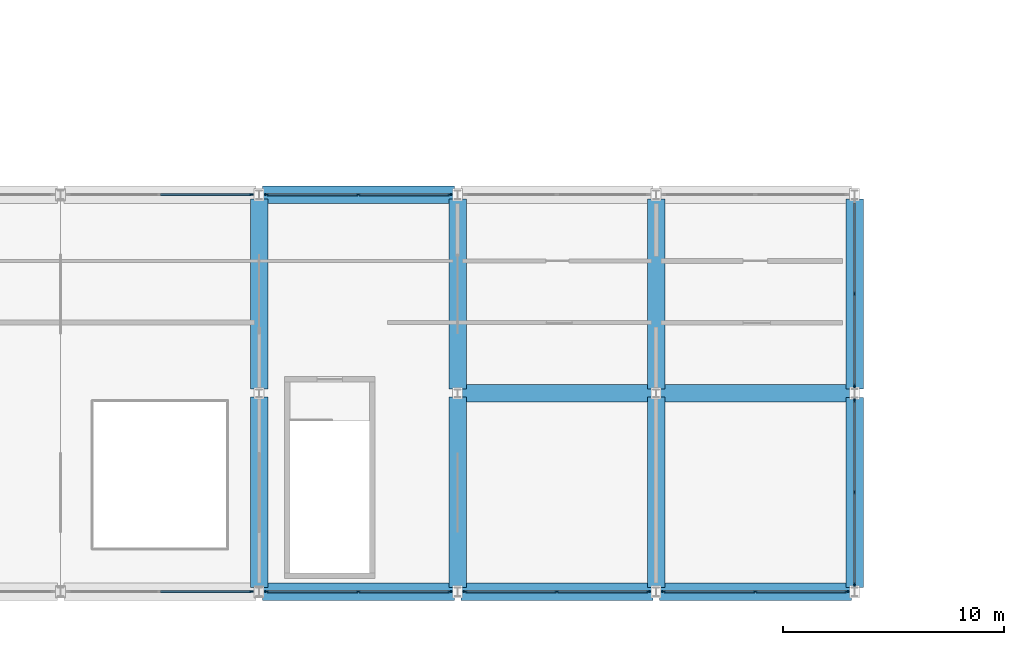
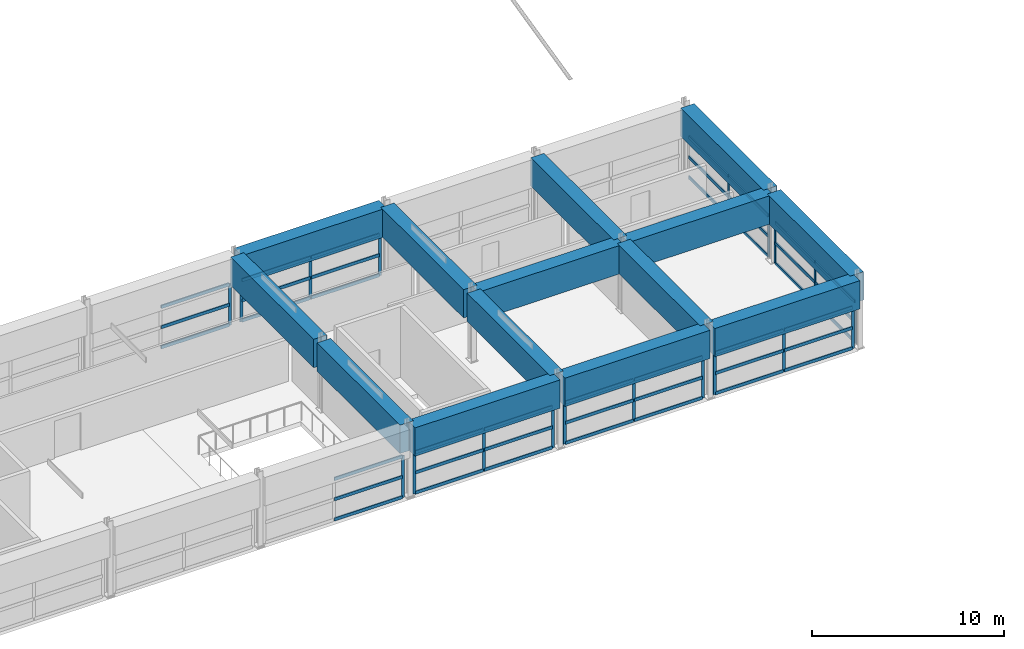
# One storey, part 6 of 56: 61 members, 14 beams, 8 elements without a shape of their own.
"""IFC4 building model written with IfcOpenShell, lengths in metres."""

from ifc_helpers import new_model, si_unit, direction, frame, origin, origin_2d, place, context, subcontext, project, spatial, rectangle, extrude, material, material_profile, profile_set, type_object, element, aggregate, save


model = new_model("IFC4")

# Units and contexts
model_context = context("Model", 3, precision=1e-05, world=origin(), true_north=direction((0.0, 1.0)))
body_context = subcontext(model_context, "Body", "Model", "MODEL_VIEW")
ifc_project = project(units=[si_unit("LENGTHUNIT", "METRE"), si_unit("AREAUNIT", "SQUARE_METRE"), si_unit("VOLUMEUNIT", "CUBIC_METRE"), si_unit("PLANEANGLEUNIT", "RADIAN"), si_unit("MASSUNIT", "GRAM", prefix="KILO")], contexts=[model_context])

# Site, building, storey
site_placement = place(None, origin())
site = spatial("IfcSite", under=ifc_project, at=site_placement, CompositionType="ELEMENT")
building_placement = place(site_placement, origin())
building = spatial("IfcBuilding", under=site, at=building_placement, Name="Bozkorgan Art Gallery", CompositionType="ELEMENT")
storey_placement = place(building_placement, frame((0.0, 0.0, 24.0)))
storey = spatial("IfcBuildingStorey", under=building, at=storey_placement, Name="L05", CompositionType="ELEMENT", Elevation=24.0)

# Beams
ifc_material_1 = material(Name="Concrete C35/45", Category="concrete")
ifc_material_profile_1 = material_profile(ifc_material_1, rectangle(XDim=0.800048828125, YDim=1.800048828125, at=origin_2d()), Name="RC 800x1800")
ifc_profile_set_1 = profile_set([ifc_material_profile_1], Name="Concrete C35/45")
beam_type = type_object("IfcBeamType", Name="BEAM-BM-77", PredefinedType="BEAM", material=ifc_profile_set_1)
for number, where, z_axis, x_axis, name in (
    (1, (38.14990234375, 2.0, 3.580078125), (1.0, 0.0, 0.0), (0.0, 1.0, 0.0), "V1 L05 beam X (38-47, 2.0)"),
    (2, (47.14990234375, 2.0, 3.580078125), (1.0, 0.0, 0.0), (0.0, 1.0, 0.0), "V1 L05 beam X (47-56, 2.0)"),
    (3, (56.14990234375, 2.0, 3.580078125), (1.0, 0.0, 0.0), (0.0, 1.0, 0.0), "V1 L05 beam X (56-65, 2.0)"),
    (4, (47.14990234375, 11.0, 3.580078125), (1.0, 0.0, 0.0), (0.0, 1.0, 0.0), "V1 L05 beam X (47-56, 11.0)"),
    (5, (56.14990234375, 11.0, 3.580078125), (1.0, 0.0, 0.0), (0.0, 1.0, 0.0), "V1 L05 beam X (56-65, 11.0)"),
    (6, (38.14990234375, 20.0, 3.580078125), (1.0, 0.0, 0.0), (0.0, 1.0, 0.0), "V1 L05 beam X (38-47, 20.0)"),
):
    element("IfcBeam", number, at=place(storey_placement, frame(where, z_axis=z_axis, x_axis=x_axis)), inside=storey, type_object=beam_type, Name=name, PredefinedType="BEAM", context=body_context, shape_type="SweptSolid", body=[
        extrude(rectangle(XDim=0.800048828125, YDim=1.800048828125, at=origin_2d()), origin(), (0.0, 0.0, 1.0), 8.7001953125),
    ])
for number, where, z_axis, x_axis, name in (
    (7, (38.0, 2.199951171875, 3.580078125), (0.0, 1.0, 0.0), (-1.0, 0.0, 0.0), "V1 L05 beam Y (38, 2.0-11.0)"),
    (8, (38.0, 11.179931640625, 3.580078125), (0.0, 1.0, 0.0), (-1.0, 0.0, 0.0), "V1 L05 beam Y (38, 11.0-20.0)"),
    (9, (47.0, 2.199951171875, 3.580078125), (0.0, 1.0, 0.0), (-1.0, 0.0, 0.0), "V1 L05 beam Y (47, 2.0-11.0)"),
    (10, (47.0, 11.179931640625, 3.580078125), (0.0, 1.0, 0.0), (-1.0, 0.0, 0.0), "V1 L05 beam Y (47, 11.0-20.0)"),
    (11, (56.0, 2.199951171875, 3.580078125), (0.0, 1.0, 0.0), (-1.0, 0.0, 0.0), "V1 L05 beam Y (56, 2.0-11.0)"),
    (12, (56.0, 11.179931640625, 3.580078125), (0.0, 1.0, 0.0), (-1.0, 0.0, 0.0), "V1 L05 beam Y (56, 11.0-20.0)"),
):
    element("IfcBeam", number, at=place(storey_placement, frame(where, z_axis=z_axis, x_axis=x_axis)), inside=storey, type_object=beam_type, Name=name, PredefinedType="BEAM", context=body_context, shape_type="SweptSolid", body=[
        extrude(rectangle(XDim=0.800048828125, YDim=1.800048828125, at=origin_2d()), origin(), (0.0, 0.0, 1.0), 8.6201171875),
    ])
for number, where, z_axis, x_axis, name in (
    (13, (65.0, 2.199951171875, 3.580078125), (0.0, 1.0, 0.0), (-1.0, 0.0, 0.0), "V1 L05 beam Y (65, 2.0-11.0)"),
    (14, (65.0, 11.199951171875, 3.580078125), (0.0, 1.0, 0.0), (-1.0, 0.0, 0.0), "V1 L05 beam Y (65, 11.0-20.0)"),
):
    element("IfcBeam", number, at=place(storey_placement, frame(where, z_axis=z_axis, x_axis=x_axis)), inside=storey, type_object=beam_type, Name=name, PredefinedType="BEAM", context=body_context, shape_type="SweptSolid", body=[
        extrude(rectangle(XDim=0.800048828125, YDim=1.800048828125, at=origin_2d()), origin(), (0.0, 0.0, 1.0), 8.60009765625),
    ])

# Curtain wall, member
ifc_material_2 = material(Name="Anodised Bronze Aluminium", Category="aluminium")
curtain_wall_type = type_object("IfcCurtainWallType", Name="CW-CW-23", PredefinedType="NOTDEFINED", material=ifc_material_2)
curtain_wall_1_placement = place(storey_placement, origin())
curtain_wall_1 = element("IfcCurtainWall", 15, at=curtain_wall_1_placement, inside=storey, type_object=curtain_wall_type, Name="L05 unitised curtain wall CW-V1-L05-1S-07", PredefinedType="NOTDEFINED")
ifc_material_profile_2 = material_profile(ifc_material_2, rectangle(XDim=0.06494140625, YDim=0.179931640625, at=origin_2d()), Name="ALU MULLION 65x180")
ifc_profile_set_2 = profile_set([ifc_material_profile_2], Name="Anodised Bronze Aluminium")
member_type_1 = type_object("IfcMemberType", Name="CWM-01", PredefinedType="MULLION", material=ifc_profile_set_2)
member_1_placement = place(storey_placement, frame((37.652587890625, 2.0, 0.02001953125), z_axis=(0.0, 0.0, 1.0), x_axis=(0.0, 1.0, 0.0)))
member_1 = element("IfcMember", 16, at=member_1_placement, type_object=member_type_1, Name="CW-23 mullion 3", PredefinedType="MULLION", context=body_context, shape_type="SweptSolid", body=[
    extrude(rectangle(XDim=0.06494140625, YDim=0.179931640625, at=origin_2d()), origin(), (0.0, 0.0, 1.0), 2.64501953125),
])

curtain_wall_2_placement = place(storey_placement, origin())
curtain_wall_2 = element("IfcCurtainWall", 17, at=curtain_wall_2_placement, inside=storey, type_object=curtain_wall_type, Name="L05 unitised curtain wall CW-V1-L05-1N-08", PredefinedType="NOTDEFINED")
member_2_placement = place(storey_placement, frame((37.652587890625, 20.0, 0.02001953125), z_axis=(0.0, 0.0, 1.0), x_axis=(0.0, 1.0, 0.0)))
member_2 = element("IfcMember", 18, at=member_2_placement, type_object=member_type_1, Name="CW-23 mullion 3", PredefinedType="MULLION", context=body_context, shape_type="SweptSolid", body=[
    extrude(rectangle(XDim=0.06494140625, YDim=0.179931640625, at=origin_2d()), origin(), (0.0, 0.0, 1.0), 2.64501953125),
])

# Curtain wall, members
curtain_wall_3_placement = place(storey_placement, origin())
curtain_wall_3 = element("IfcCurtainWall", 19, at=curtain_wall_3_placement, inside=storey, type_object=curtain_wall_type, Name="L05 unitised curtain wall CW-V1-L05-1S-09", PredefinedType="NOTDEFINED")
member_3_placement = place(storey_placement, frame((38.347412109375, 2.0, 0.02001953125), z_axis=(0.0, 0.0, 1.0), x_axis=(0.0, 1.0, 0.0)))
member_3 = element("IfcMember", 20, at=member_3_placement, type_object=member_type_1, Name="CW-23 mullion 1", PredefinedType="MULLION", context=body_context, shape_type="SweptSolid", body=[
    extrude(rectangle(XDim=0.06494140625, YDim=0.179931640625, at=origin_2d()), origin(), (0.0, 0.0, 1.0), 2.64501953125),
])
member_4_placement = place(storey_placement, frame((42.5, 2.0, 0.02001953125), z_axis=(0.0, 0.0, 1.0), x_axis=(0.0, 1.0, 0.0)))
member_4 = element("IfcMember", 21, at=member_4_placement, type_object=member_type_1, Name="CW-23 mullion 2", PredefinedType="MULLION", context=body_context, shape_type="SweptSolid", body=[
    extrude(rectangle(XDim=0.06494140625, YDim=0.179931640625, at=origin_2d()), origin(), (0.0, 0.0, 1.0), 2.64501953125),
])
member_5_placement = place(storey_placement, frame((46.652587890625, 2.0, 0.02001953125), z_axis=(0.0, 0.0, 1.0), x_axis=(0.0, 1.0, 0.0)))
member_5 = element("IfcMember", 22, at=member_5_placement, type_object=member_type_1, Name="CW-23 mullion 3", PredefinedType="MULLION", context=body_context, shape_type="SweptSolid", body=[
    extrude(rectangle(XDim=0.06494140625, YDim=0.179931640625, at=origin_2d()), origin(), (0.0, 0.0, 1.0), 2.64501953125),
])

curtain_wall_4_placement = place(storey_placement, origin())
curtain_wall_4 = element("IfcCurtainWall", 23, at=curtain_wall_4_placement, inside=storey, type_object=curtain_wall_type, Name="L05 unitised curtain wall CW-V1-L05-1N-10", PredefinedType="NOTDEFINED")
member_6_placement = place(storey_placement, frame((38.347412109375, 20.0, 0.02001953125), z_axis=(0.0, 0.0, 1.0), x_axis=(0.0, 1.0, 0.0)))
member_6 = element("IfcMember", 24, at=member_6_placement, type_object=member_type_1, Name="CW-23 mullion 1", PredefinedType="MULLION", context=body_context, shape_type="SweptSolid", body=[
    extrude(rectangle(XDim=0.06494140625, YDim=0.179931640625, at=origin_2d()), origin(), (0.0, 0.0, 1.0), 2.64501953125),
])
member_7_placement = place(storey_placement, frame((42.5, 20.0, 0.02001953125), z_axis=(0.0, 0.0, 1.0), x_axis=(0.0, 1.0, 0.0)))
member_7 = element("IfcMember", 25, at=member_7_placement, type_object=member_type_1, Name="CW-23 mullion 2", PredefinedType="MULLION", context=body_context, shape_type="SweptSolid", body=[
    extrude(rectangle(XDim=0.06494140625, YDim=0.179931640625, at=origin_2d()), origin(), (0.0, 0.0, 1.0), 2.64501953125),
])
member_8_placement = place(storey_placement, frame((46.652587890625, 20.0, 0.02001953125), z_axis=(0.0, 0.0, 1.0), x_axis=(0.0, 1.0, 0.0)))
member_8 = element("IfcMember", 26, at=member_8_placement, type_object=member_type_1, Name="CW-23 mullion 3", PredefinedType="MULLION", context=body_context, shape_type="SweptSolid", body=[
    extrude(rectangle(XDim=0.06494140625, YDim=0.179931640625, at=origin_2d()), origin(), (0.0, 0.0, 1.0), 2.64501953125),
])

curtain_wall_5_placement = place(storey_placement, origin())
curtain_wall_5 = element("IfcCurtainWall", 27, at=curtain_wall_5_placement, inside=storey, type_object=curtain_wall_type, Name="L05 unitised curtain wall CW-V1-L05-1S-11", PredefinedType="NOTDEFINED")
member_9_placement = place(storey_placement, frame((47.347412109375, 2.0, 0.02001953125), z_axis=(0.0, 0.0, 1.0), x_axis=(0.0, 1.0, 0.0)))
member_9 = element("IfcMember", 28, at=member_9_placement, type_object=member_type_1, Name="CW-23 mullion 1", PredefinedType="MULLION", context=body_context, shape_type="SweptSolid", body=[
    extrude(rectangle(XDim=0.06494140625, YDim=0.179931640625, at=origin_2d()), origin(), (0.0, 0.0, 1.0), 2.64501953125),
])
member_10_placement = place(storey_placement, frame((51.5, 2.0, 0.02001953125), z_axis=(0.0, 0.0, 1.0), x_axis=(0.0, 1.0, 0.0)))
member_10 = element("IfcMember", 29, at=member_10_placement, type_object=member_type_1, Name="CW-23 mullion 2", PredefinedType="MULLION", context=body_context, shape_type="SweptSolid", body=[
    extrude(rectangle(XDim=0.06494140625, YDim=0.179931640625, at=origin_2d()), origin(), (0.0, 0.0, 1.0), 2.64501953125),
])
member_11_placement = place(storey_placement, frame((55.652587890625, 2.0, 0.02001953125), z_axis=(0.0, 0.0, 1.0), x_axis=(0.0, 1.0, 0.0)))
member_11 = element("IfcMember", 30, at=member_11_placement, type_object=member_type_1, Name="CW-23 mullion 3", PredefinedType="MULLION", context=body_context, shape_type="SweptSolid", body=[
    extrude(rectangle(XDim=0.06494140625, YDim=0.179931640625, at=origin_2d()), origin(), (0.0, 0.0, 1.0), 2.64501953125),
])

curtain_wall_6_placement = place(storey_placement, origin())
curtain_wall_6 = element("IfcCurtainWall", 31, at=curtain_wall_6_placement, inside=storey, type_object=curtain_wall_type, Name="L05 unitised curtain wall CW-V1-L05-1S-13", PredefinedType="NOTDEFINED")
member_12_placement = place(storey_placement, frame((56.347412109375, 2.0, 0.02001953125), z_axis=(0.0, 0.0, 1.0), x_axis=(0.0, 1.0, 0.0)))
member_12 = element("IfcMember", 32, at=member_12_placement, type_object=member_type_1, Name="CW-23 mullion 1", PredefinedType="MULLION", context=body_context, shape_type="SweptSolid", body=[
    extrude(rectangle(XDim=0.06494140625, YDim=0.179931640625, at=origin_2d()), origin(), (0.0, 0.0, 1.0), 2.64501953125),
])
member_13_placement = place(storey_placement, frame((60.5, 2.0, 0.02001953125), z_axis=(0.0, 0.0, 1.0), x_axis=(0.0, 1.0, 0.0)))
member_13 = element("IfcMember", 33, at=member_13_placement, type_object=member_type_1, Name="CW-23 mullion 2", PredefinedType="MULLION", context=body_context, shape_type="SweptSolid", body=[
    extrude(rectangle(XDim=0.06494140625, YDim=0.179931640625, at=origin_2d()), origin(), (0.0, 0.0, 1.0), 2.64501953125),
])
member_14_placement = place(storey_placement, frame((64.652587890625, 2.0, 0.02001953125), z_axis=(0.0, 0.0, 1.0), x_axis=(0.0, 1.0, 0.0)))
member_14 = element("IfcMember", 34, at=member_14_placement, type_object=member_type_1, Name="CW-23 mullion 3", PredefinedType="MULLION", context=body_context, shape_type="SweptSolid", body=[
    extrude(rectangle(XDim=0.06494140625, YDim=0.179931640625, at=origin_2d()), origin(), (0.0, 0.0, 1.0), 2.64501953125),
])

curtain_wall_7_placement = place(storey_placement, origin())
curtain_wall_7 = element("IfcCurtainWall", 35, at=curtain_wall_7_placement, inside=storey, type_object=curtain_wall_type, Name="L05 unitised curtain wall CW-V1-L05-1E-16", PredefinedType="NOTDEFINED")
member_15_placement = place(storey_placement, frame((65.0, 2.347412109375, 0.02001953125), z_axis=(0.0, 0.0, 1.0), x_axis=(-1.0, 0.0, 0.0)))
member_15 = element("IfcMember", 36, at=member_15_placement, type_object=member_type_1, Name="CW-23 mullion 1", PredefinedType="MULLION", context=body_context, shape_type="SweptSolid", body=[
    extrude(rectangle(XDim=0.06494140625, YDim=0.179931640625, at=origin_2d()), origin(), (0.0, 0.0, 1.0), 2.64501953125),
])
member_16_placement = place(storey_placement, frame((65.0, 6.5, 0.02001953125), z_axis=(0.0, 0.0, 1.0), x_axis=(-1.0, 0.0, 0.0)))
member_16 = element("IfcMember", 37, at=member_16_placement, type_object=member_type_1, Name="CW-23 mullion 2", PredefinedType="MULLION", context=body_context, shape_type="SweptSolid", body=[
    extrude(rectangle(XDim=0.06494140625, YDim=0.179931640625, at=origin_2d()), origin(), (0.0, 0.0, 1.0), 2.64501953125),
])
member_17_placement = place(storey_placement, frame((65.0, 10.652587890625, 0.02001953125), z_axis=(0.0, 0.0, 1.0), x_axis=(-1.0, 0.0, 0.0)))
member_17 = element("IfcMember", 38, at=member_17_placement, type_object=member_type_1, Name="CW-23 mullion 3", PredefinedType="MULLION", context=body_context, shape_type="SweptSolid", body=[
    extrude(rectangle(XDim=0.06494140625, YDim=0.179931640625, at=origin_2d()), origin(), (0.0, 0.0, 1.0), 2.64501953125),
])

curtain_wall_8_placement = place(storey_placement, origin())
curtain_wall_8 = element("IfcCurtainWall", 39, at=curtain_wall_8_placement, inside=storey, type_object=curtain_wall_type, Name="L05 unitised curtain wall CW-V1-L05-1E-18", PredefinedType="NOTDEFINED")
member_18_placement = place(storey_placement, frame((65.0, 11.347412109375, 0.02001953125), z_axis=(0.0, 0.0, 1.0), x_axis=(-1.0, 0.0, 0.0)))
member_18 = element("IfcMember", 40, at=member_18_placement, type_object=member_type_1, Name="CW-23 mullion 1", PredefinedType="MULLION", context=body_context, shape_type="SweptSolid", body=[
    extrude(rectangle(XDim=0.06494140625, YDim=0.179931640625, at=origin_2d()), origin(), (0.0, 0.0, 1.0), 2.64501953125),
])
member_19_placement = place(storey_placement, frame((65.0, 15.5, 0.02001953125), z_axis=(0.0, 0.0, 1.0), x_axis=(-1.0, 0.0, 0.0)))
member_19 = element("IfcMember", 41, at=member_19_placement, type_object=member_type_1, Name="CW-23 mullion 2", PredefinedType="MULLION", context=body_context, shape_type="SweptSolid", body=[
    extrude(rectangle(XDim=0.06494140625, YDim=0.179931640625, at=origin_2d()), origin(), (0.0, 0.0, 1.0), 2.64501953125),
])

# Member
ifc_material_profile_3 = material_profile(ifc_material_2, rectangle(XDim=0.080078125, YDim=0.199951171875, at=origin_2d()), Name="ALU TRANSOM 80x200")
ifc_profile_set_3 = profile_set([ifc_material_profile_3], Name="Anodised Bronze Aluminium")
member_type_2 = type_object("IfcMemberType", Name="CWT-03", PredefinedType="USERDEFINED", material=ifc_profile_set_3)
member_20_placement = place(storey_placement, frame((33.532470703125, 2.0, 0.06005859375), z_axis=(1.0, 0.0, 0.0), x_axis=(0.0, 1.0, 0.0)))
member_20 = element("IfcMember", 42, at=member_20_placement, type_object=member_type_2, Name="CW-23 transom 2.1", ObjectType="TRANSOM", PredefinedType="USERDEFINED", context=body_context, shape_type="SweptSolid", body=[
    extrude(rectangle(XDim=0.080078125, YDim=0.199951171875, at=origin_2d()), origin(), (0.0, 0.0, 1.0), 4.087646484375),
])

member_21_placement = place(storey_placement, frame((33.532470703125, 2.0, 1.343017578125), z_axis=(1.0, 0.0, 0.0), x_axis=(0.0, 1.0, 0.0)))
member_21 = element("IfcMember", 43, at=member_21_placement, type_object=member_type_2, Name="CW-23 transom 2.2", ObjectType="TRANSOM", PredefinedType="USERDEFINED", context=body_context, shape_type="SweptSolid", body=[
    extrude(rectangle(XDim=0.080078125, YDim=0.199951171875, at=origin_2d()), origin(), (0.0, 0.0, 1.0), 4.087646484375),
])

member_22_placement = place(storey_placement, frame((33.532470703125, 2.0, 2.625), z_axis=(1.0, 0.0, 0.0), x_axis=(0.0, 1.0, 0.0)))
member_22 = element("IfcMember", 44, at=member_22_placement, type_object=member_type_2, Name="CW-23 transom 2.3", ObjectType="TRANSOM", PredefinedType="USERDEFINED", context=body_context, shape_type="SweptSolid", body=[
    extrude(rectangle(XDim=0.080078125, YDim=0.199951171875, at=origin_2d()), origin(), (0.0, 0.0, 1.0), 4.087646484375),
])

aggregate(curtain_wall_1, [member_1, member_20, member_21, member_22])

member_23_placement = place(storey_placement, frame((33.532470703125, 20.0, 0.06005859375), z_axis=(1.0, 0.0, 0.0), x_axis=(0.0, 1.0, 0.0)))
member_23 = element("IfcMember", 45, at=member_23_placement, type_object=member_type_2, Name="CW-23 transom 2.1", ObjectType="TRANSOM", PredefinedType="USERDEFINED", context=body_context, shape_type="SweptSolid", body=[
    extrude(rectangle(XDim=0.080078125, YDim=0.199951171875, at=origin_2d()), origin(), (0.0, 0.0, 1.0), 4.087646484375),
])

member_24_placement = place(storey_placement, frame((33.532470703125, 20.0, 1.343017578125), z_axis=(1.0, 0.0, 0.0), x_axis=(0.0, 1.0, 0.0)))
member_24 = element("IfcMember", 46, at=member_24_placement, type_object=member_type_2, Name="CW-23 transom 2.2", ObjectType="TRANSOM", PredefinedType="USERDEFINED", context=body_context, shape_type="SweptSolid", body=[
    extrude(rectangle(XDim=0.080078125, YDim=0.199951171875, at=origin_2d()), origin(), (0.0, 0.0, 1.0), 4.087646484375),
])

member_25_placement = place(storey_placement, frame((33.532470703125, 20.0, 2.625), z_axis=(1.0, 0.0, 0.0), x_axis=(0.0, 1.0, 0.0)))
member_25 = element("IfcMember", 47, at=member_25_placement, type_object=member_type_2, Name="CW-23 transom 2.3", ObjectType="TRANSOM", PredefinedType="USERDEFINED", context=body_context, shape_type="SweptSolid", body=[
    extrude(rectangle(XDim=0.080078125, YDim=0.199951171875, at=origin_2d()), origin(), (0.0, 0.0, 1.0), 4.087646484375),
])

aggregate(curtain_wall_2, [member_2, member_23, member_24, member_25])

member_26_placement = place(storey_placement, frame((38.3798828125, 2.0, 0.06005859375), z_axis=(1.0, 0.0, 0.0), x_axis=(0.0, 1.0, 0.0)))
member_26 = element("IfcMember", 48, at=member_26_placement, type_object=member_type_2, Name="CW-23 transom 1.1", ObjectType="TRANSOM", PredefinedType="USERDEFINED", context=body_context, shape_type="SweptSolid", body=[
    extrude(rectangle(XDim=0.080078125, YDim=0.199951171875, at=origin_2d()), origin(), (0.0, 0.0, 1.0), 4.087646484375),
])

member_27_placement = place(storey_placement, frame((38.3798828125, 2.0, 1.343017578125), z_axis=(1.0, 0.0, 0.0), x_axis=(0.0, 1.0, 0.0)))
member_27 = element("IfcMember", 49, at=member_27_placement, type_object=member_type_2, Name="CW-23 transom 1.2", ObjectType="TRANSOM", PredefinedType="USERDEFINED", context=body_context, shape_type="SweptSolid", body=[
    extrude(rectangle(XDim=0.080078125, YDim=0.199951171875, at=origin_2d()), origin(), (0.0, 0.0, 1.0), 4.087646484375),
])

member_28_placement = place(storey_placement, frame((38.3798828125, 2.0, 2.625), z_axis=(1.0, 0.0, 0.0), x_axis=(0.0, 1.0, 0.0)))
member_28 = element("IfcMember", 50, at=member_28_placement, type_object=member_type_2, Name="CW-23 transom 1.3", ObjectType="TRANSOM", PredefinedType="USERDEFINED", context=body_context, shape_type="SweptSolid", body=[
    extrude(rectangle(XDim=0.080078125, YDim=0.199951171875, at=origin_2d()), origin(), (0.0, 0.0, 1.0), 4.087646484375),
])

member_29_placement = place(storey_placement, frame((42.532470703125, 2.0, 0.06005859375), z_axis=(1.0, 0.0, 0.0), x_axis=(0.0, 1.0, 0.0)))
member_29 = element("IfcMember", 51, at=member_29_placement, type_object=member_type_2, Name="CW-23 transom 2.1", ObjectType="TRANSOM", PredefinedType="USERDEFINED", context=body_context, shape_type="SweptSolid", body=[
    extrude(rectangle(XDim=0.080078125, YDim=0.199951171875, at=origin_2d()), origin(), (0.0, 0.0, 1.0), 4.087646484375),
])

member_30_placement = place(storey_placement, frame((42.532470703125, 2.0, 1.343017578125), z_axis=(1.0, 0.0, 0.0), x_axis=(0.0, 1.0, 0.0)))
member_30 = element("IfcMember", 52, at=member_30_placement, type_object=member_type_2, Name="CW-23 transom 2.2", ObjectType="TRANSOM", PredefinedType="USERDEFINED", context=body_context, shape_type="SweptSolid", body=[
    extrude(rectangle(XDim=0.080078125, YDim=0.199951171875, at=origin_2d()), origin(), (0.0, 0.0, 1.0), 4.087646484375),
])

member_31_placement = place(storey_placement, frame((42.532470703125, 2.0, 2.625), z_axis=(1.0, 0.0, 0.0), x_axis=(0.0, 1.0, 0.0)))
member_31 = element("IfcMember", 53, at=member_31_placement, type_object=member_type_2, Name="CW-23 transom 2.3", ObjectType="TRANSOM", PredefinedType="USERDEFINED", context=body_context, shape_type="SweptSolid", body=[
    extrude(rectangle(XDim=0.080078125, YDim=0.199951171875, at=origin_2d()), origin(), (0.0, 0.0, 1.0), 4.087646484375),
])

aggregate(curtain_wall_3, [member_3, member_4, member_5, member_26, member_27, member_28, member_29, member_30, member_31])

member_32_placement = place(storey_placement, frame((38.3798828125, 20.0, 0.06005859375), z_axis=(1.0, 0.0, 0.0), x_axis=(0.0, 1.0, 0.0)))
member_32 = element("IfcMember", 54, at=member_32_placement, type_object=member_type_2, Name="CW-23 transom 1.1", ObjectType="TRANSOM", PredefinedType="USERDEFINED", context=body_context, shape_type="SweptSolid", body=[
    extrude(rectangle(XDim=0.080078125, YDim=0.199951171875, at=origin_2d()), origin(), (0.0, 0.0, 1.0), 4.087646484375),
])

member_33_placement = place(storey_placement, frame((38.3798828125, 20.0, 1.343017578125), z_axis=(1.0, 0.0, 0.0), x_axis=(0.0, 1.0, 0.0)))
member_33 = element("IfcMember", 55, at=member_33_placement, type_object=member_type_2, Name="CW-23 transom 1.2", ObjectType="TRANSOM", PredefinedType="USERDEFINED", context=body_context, shape_type="SweptSolid", body=[
    extrude(rectangle(XDim=0.080078125, YDim=0.199951171875, at=origin_2d()), origin(), (0.0, 0.0, 1.0), 4.087646484375),
])

member_34_placement = place(storey_placement, frame((38.3798828125, 20.0, 2.625), z_axis=(1.0, 0.0, 0.0), x_axis=(0.0, 1.0, 0.0)))
member_34 = element("IfcMember", 56, at=member_34_placement, type_object=member_type_2, Name="CW-23 transom 1.3", ObjectType="TRANSOM", PredefinedType="USERDEFINED", context=body_context, shape_type="SweptSolid", body=[
    extrude(rectangle(XDim=0.080078125, YDim=0.199951171875, at=origin_2d()), origin(), (0.0, 0.0, 1.0), 4.087646484375),
])

member_35_placement = place(storey_placement, frame((42.532470703125, 20.0, 0.06005859375), z_axis=(1.0, 0.0, 0.0), x_axis=(0.0, 1.0, 0.0)))
member_35 = element("IfcMember", 57, at=member_35_placement, type_object=member_type_2, Name="CW-23 transom 2.1", ObjectType="TRANSOM", PredefinedType="USERDEFINED", context=body_context, shape_type="SweptSolid", body=[
    extrude(rectangle(XDim=0.080078125, YDim=0.199951171875, at=origin_2d()), origin(), (0.0, 0.0, 1.0), 4.087646484375),
])

member_36_placement = place(storey_placement, frame((42.532470703125, 20.0, 1.343017578125), z_axis=(1.0, 0.0, 0.0), x_axis=(0.0, 1.0, 0.0)))
member_36 = element("IfcMember", 58, at=member_36_placement, type_object=member_type_2, Name="CW-23 transom 2.2", ObjectType="TRANSOM", PredefinedType="USERDEFINED", context=body_context, shape_type="SweptSolid", body=[
    extrude(rectangle(XDim=0.080078125, YDim=0.199951171875, at=origin_2d()), origin(), (0.0, 0.0, 1.0), 4.087646484375),
])

member_37_placement = place(storey_placement, frame((42.532470703125, 20.0, 2.625), z_axis=(1.0, 0.0, 0.0), x_axis=(0.0, 1.0, 0.0)))
member_37 = element("IfcMember", 59, at=member_37_placement, type_object=member_type_2, Name="CW-23 transom 2.3", ObjectType="TRANSOM", PredefinedType="USERDEFINED", context=body_context, shape_type="SweptSolid", body=[
    extrude(rectangle(XDim=0.080078125, YDim=0.199951171875, at=origin_2d()), origin(), (0.0, 0.0, 1.0), 4.087646484375),
])

aggregate(curtain_wall_4, [member_6, member_7, member_8, member_32, member_33, member_34, member_35, member_36, member_37])

member_38_placement = place(storey_placement, frame((47.3798828125, 2.0, 0.06005859375), z_axis=(1.0, 0.0, 0.0), x_axis=(0.0, 1.0, 0.0)))
member_38 = element("IfcMember", 60, at=member_38_placement, type_object=member_type_2, Name="CW-23 transom 1.1", ObjectType="TRANSOM", PredefinedType="USERDEFINED", context=body_context, shape_type="SweptSolid", body=[
    extrude(rectangle(XDim=0.080078125, YDim=0.199951171875, at=origin_2d()), origin(), (0.0, 0.0, 1.0), 4.087646484375),
])

member_39_placement = place(storey_placement, frame((47.3798828125, 2.0, 1.343017578125), z_axis=(1.0, 0.0, 0.0), x_axis=(0.0, 1.0, 0.0)))
member_39 = element("IfcMember", 61, at=member_39_placement, type_object=member_type_2, Name="CW-23 transom 1.2", ObjectType="TRANSOM", PredefinedType="USERDEFINED", context=body_context, shape_type="SweptSolid", body=[
    extrude(rectangle(XDim=0.080078125, YDim=0.199951171875, at=origin_2d()), origin(), (0.0, 0.0, 1.0), 4.087646484375),
])

member_40_placement = place(storey_placement, frame((47.3798828125, 2.0, 2.625), z_axis=(1.0, 0.0, 0.0), x_axis=(0.0, 1.0, 0.0)))
member_40 = element("IfcMember", 62, at=member_40_placement, type_object=member_type_2, Name="CW-23 transom 1.3", ObjectType="TRANSOM", PredefinedType="USERDEFINED", context=body_context, shape_type="SweptSolid", body=[
    extrude(rectangle(XDim=0.080078125, YDim=0.199951171875, at=origin_2d()), origin(), (0.0, 0.0, 1.0), 4.087646484375),
])

member_41_placement = place(storey_placement, frame((51.532470703125, 2.0, 0.06005859375), z_axis=(1.0, 0.0, 0.0), x_axis=(0.0, 1.0, 0.0)))
member_41 = element("IfcMember", 63, at=member_41_placement, type_object=member_type_2, Name="CW-23 transom 2.1", ObjectType="TRANSOM", PredefinedType="USERDEFINED", context=body_context, shape_type="SweptSolid", body=[
    extrude(rectangle(XDim=0.080078125, YDim=0.199951171875, at=origin_2d()), origin(), (0.0, 0.0, 1.0), 4.087646484375),
])

member_42_placement = place(storey_placement, frame((51.532470703125, 2.0, 1.343017578125), z_axis=(1.0, 0.0, 0.0), x_axis=(0.0, 1.0, 0.0)))
member_42 = element("IfcMember", 64, at=member_42_placement, type_object=member_type_2, Name="CW-23 transom 2.2", ObjectType="TRANSOM", PredefinedType="USERDEFINED", context=body_context, shape_type="SweptSolid", body=[
    extrude(rectangle(XDim=0.080078125, YDim=0.199951171875, at=origin_2d()), origin(), (0.0, 0.0, 1.0), 4.087646484375),
])

member_43_placement = place(storey_placement, frame((51.532470703125, 2.0, 2.625), z_axis=(1.0, 0.0, 0.0), x_axis=(0.0, 1.0, 0.0)))
member_43 = element("IfcMember", 65, at=member_43_placement, type_object=member_type_2, Name="CW-23 transom 2.3", ObjectType="TRANSOM", PredefinedType="USERDEFINED", context=body_context, shape_type="SweptSolid", body=[
    extrude(rectangle(XDim=0.080078125, YDim=0.199951171875, at=origin_2d()), origin(), (0.0, 0.0, 1.0), 4.087646484375),
])

aggregate(curtain_wall_5, [member_9, member_10, member_11, member_38, member_39, member_40, member_41, member_42, member_43])

member_44_placement = place(storey_placement, frame((56.3798828125, 2.0, 0.06005859375), z_axis=(1.0, 0.0, 0.0), x_axis=(0.0, 1.0, 0.0)))
member_44 = element("IfcMember", 66, at=member_44_placement, type_object=member_type_2, Name="CW-23 transom 1.1", ObjectType="TRANSOM", PredefinedType="USERDEFINED", context=body_context, shape_type="SweptSolid", body=[
    extrude(rectangle(XDim=0.080078125, YDim=0.199951171875, at=origin_2d()), origin(), (0.0, 0.0, 1.0), 4.087646484375),
])

member_45_placement = place(storey_placement, frame((56.3798828125, 2.0, 1.343017578125), z_axis=(1.0, 0.0, 0.0), x_axis=(0.0, 1.0, 0.0)))
member_45 = element("IfcMember", 67, at=member_45_placement, type_object=member_type_2, Name="CW-23 transom 1.2", ObjectType="TRANSOM", PredefinedType="USERDEFINED", context=body_context, shape_type="SweptSolid", body=[
    extrude(rectangle(XDim=0.080078125, YDim=0.199951171875, at=origin_2d()), origin(), (0.0, 0.0, 1.0), 4.087646484375),
])

member_46_placement = place(storey_placement, frame((56.3798828125, 2.0, 2.625), z_axis=(1.0, 0.0, 0.0), x_axis=(0.0, 1.0, 0.0)))
member_46 = element("IfcMember", 68, at=member_46_placement, type_object=member_type_2, Name="CW-23 transom 1.3", ObjectType="TRANSOM", PredefinedType="USERDEFINED", context=body_context, shape_type="SweptSolid", body=[
    extrude(rectangle(XDim=0.080078125, YDim=0.199951171875, at=origin_2d()), origin(), (0.0, 0.0, 1.0), 4.087646484375),
])

member_47_placement = place(storey_placement, frame((60.532470703125, 2.0, 0.06005859375), z_axis=(1.0, 0.0, 0.0), x_axis=(0.0, 1.0, 0.0)))
member_47 = element("IfcMember", 69, at=member_47_placement, type_object=member_type_2, Name="CW-23 transom 2.1", ObjectType="TRANSOM", PredefinedType="USERDEFINED", context=body_context, shape_type="SweptSolid", body=[
    extrude(rectangle(XDim=0.080078125, YDim=0.199951171875, at=origin_2d()), origin(), (0.0, 0.0, 1.0), 4.087646484375),
])

member_48_placement = place(storey_placement, frame((60.532470703125, 2.0, 1.343017578125), z_axis=(1.0, 0.0, 0.0), x_axis=(0.0, 1.0, 0.0)))
member_48 = element("IfcMember", 70, at=member_48_placement, type_object=member_type_2, Name="CW-23 transom 2.2", ObjectType="TRANSOM", PredefinedType="USERDEFINED", context=body_context, shape_type="SweptSolid", body=[
    extrude(rectangle(XDim=0.080078125, YDim=0.199951171875, at=origin_2d()), origin(), (0.0, 0.0, 1.0), 4.087646484375),
])

member_49_placement = place(storey_placement, frame((60.532470703125, 2.0, 2.625), z_axis=(1.0, 0.0, 0.0), x_axis=(0.0, 1.0, 0.0)))
member_49 = element("IfcMember", 71, at=member_49_placement, type_object=member_type_2, Name="CW-23 transom 2.3", ObjectType="TRANSOM", PredefinedType="USERDEFINED", context=body_context, shape_type="SweptSolid", body=[
    extrude(rectangle(XDim=0.080078125, YDim=0.199951171875, at=origin_2d()), origin(), (0.0, 0.0, 1.0), 4.087646484375),
])

aggregate(curtain_wall_6, [member_12, member_13, member_14, member_44, member_45, member_46, member_47, member_48, member_49])

member_50_placement = place(storey_placement, frame((65.0, 2.3798828125, 0.06005859375), z_axis=(0.0, 1.0, 0.0), x_axis=(-1.0, 0.0, 0.0)))
member_50 = element("IfcMember", 72, at=member_50_placement, type_object=member_type_2, Name="CW-23 transom 1.1", ObjectType="TRANSOM", PredefinedType="USERDEFINED", context=body_context, shape_type="SweptSolid", body=[
    extrude(rectangle(XDim=0.080078125, YDim=0.199951171875, at=origin_2d()), origin(), (0.0, 0.0, 1.0), 4.087646484375),
])

member_51_placement = place(storey_placement, frame((65.0, 2.3798828125, 1.343017578125), z_axis=(0.0, 1.0, 0.0), x_axis=(-1.0, 0.0, 0.0)))
member_51 = element("IfcMember", 73, at=member_51_placement, type_object=member_type_2, Name="CW-23 transom 1.2", ObjectType="TRANSOM", PredefinedType="USERDEFINED", context=body_context, shape_type="SweptSolid", body=[
    extrude(rectangle(XDim=0.080078125, YDim=0.199951171875, at=origin_2d()), origin(), (0.0, 0.0, 1.0), 4.087646484375),
])

member_52_placement = place(storey_placement, frame((65.0, 2.3798828125, 2.625), z_axis=(0.0, 1.0, 0.0), x_axis=(-1.0, 0.0, 0.0)))
member_52 = element("IfcMember", 74, at=member_52_placement, type_object=member_type_2, Name="CW-23 transom 1.3", ObjectType="TRANSOM", PredefinedType="USERDEFINED", context=body_context, shape_type="SweptSolid", body=[
    extrude(rectangle(XDim=0.080078125, YDim=0.199951171875, at=origin_2d()), origin(), (0.0, 0.0, 1.0), 4.087646484375),
])

member_53_placement = place(storey_placement, frame((65.0, 6.532470703125, 0.06005859375), z_axis=(0.0, 1.0, 0.0), x_axis=(-1.0, 0.0, 0.0)))
member_53 = element("IfcMember", 75, at=member_53_placement, type_object=member_type_2, Name="CW-23 transom 2.1", ObjectType="TRANSOM", PredefinedType="USERDEFINED", context=body_context, shape_type="SweptSolid", body=[
    extrude(rectangle(XDim=0.080078125, YDim=0.199951171875, at=origin_2d()), origin(), (0.0, 0.0, 1.0), 4.087646484375),
])

member_54_placement = place(storey_placement, frame((65.0, 6.532470703125, 1.343017578125), z_axis=(0.0, 1.0, 0.0), x_axis=(-1.0, 0.0, 0.0)))
member_54 = element("IfcMember", 76, at=member_54_placement, type_object=member_type_2, Name="CW-23 transom 2.2", ObjectType="TRANSOM", PredefinedType="USERDEFINED", context=body_context, shape_type="SweptSolid", body=[
    extrude(rectangle(XDim=0.080078125, YDim=0.199951171875, at=origin_2d()), origin(), (0.0, 0.0, 1.0), 4.087646484375),
])

member_55_placement = place(storey_placement, frame((65.0, 6.532470703125, 2.625), z_axis=(0.0, 1.0, 0.0), x_axis=(-1.0, 0.0, 0.0)))
member_55 = element("IfcMember", 77, at=member_55_placement, type_object=member_type_2, Name="CW-23 transom 2.3", ObjectType="TRANSOM", PredefinedType="USERDEFINED", context=body_context, shape_type="SweptSolid", body=[
    extrude(rectangle(XDim=0.080078125, YDim=0.199951171875, at=origin_2d()), origin(), (0.0, 0.0, 1.0), 4.087646484375),
])

aggregate(curtain_wall_7, [member_15, member_16, member_17, member_50, member_51, member_52, member_53, member_54, member_55])

member_56_placement = place(storey_placement, frame((65.0, 11.3798828125, 0.06005859375), z_axis=(0.0, 1.0, 0.0), x_axis=(-1.0, 0.0, 0.0)))
member_56 = element("IfcMember", 78, at=member_56_placement, type_object=member_type_2, Name="CW-23 transom 1.1", ObjectType="TRANSOM", PredefinedType="USERDEFINED", context=body_context, shape_type="SweptSolid", body=[
    extrude(rectangle(XDim=0.080078125, YDim=0.199951171875, at=origin_2d()), origin(), (0.0, 0.0, 1.0), 4.087646484375),
])

member_57_placement = place(storey_placement, frame((65.0, 11.3798828125, 1.343017578125), z_axis=(0.0, 1.0, 0.0), x_axis=(-1.0, 0.0, 0.0)))
member_57 = element("IfcMember", 79, at=member_57_placement, type_object=member_type_2, Name="CW-23 transom 1.2", ObjectType="TRANSOM", PredefinedType="USERDEFINED", context=body_context, shape_type="SweptSolid", body=[
    extrude(rectangle(XDim=0.080078125, YDim=0.199951171875, at=origin_2d()), origin(), (0.0, 0.0, 1.0), 4.087646484375),
])

member_58_placement = place(storey_placement, frame((65.0, 11.3798828125, 2.625), z_axis=(0.0, 1.0, 0.0), x_axis=(-1.0, 0.0, 0.0)))
member_58 = element("IfcMember", 80, at=member_58_placement, type_object=member_type_2, Name="CW-23 transom 1.3", ObjectType="TRANSOM", PredefinedType="USERDEFINED", context=body_context, shape_type="SweptSolid", body=[
    extrude(rectangle(XDim=0.080078125, YDim=0.199951171875, at=origin_2d()), origin(), (0.0, 0.0, 1.0), 4.087646484375),
])

member_59_placement = place(storey_placement, frame((65.0, 15.532470703125, 0.06005859375), z_axis=(0.0, 1.0, 0.0), x_axis=(-1.0, 0.0, 0.0)))
member_59 = element("IfcMember", 81, at=member_59_placement, type_object=member_type_2, Name="CW-23 transom 2.1", ObjectType="TRANSOM", PredefinedType="USERDEFINED", context=body_context, shape_type="SweptSolid", body=[
    extrude(rectangle(XDim=0.080078125, YDim=0.199951171875, at=origin_2d()), origin(), (0.0, 0.0, 1.0), 4.087646484375),
])

member_60_placement = place(storey_placement, frame((65.0, 15.532470703125, 1.343017578125), z_axis=(0.0, 1.0, 0.0), x_axis=(-1.0, 0.0, 0.0)))
member_60 = element("IfcMember", 82, at=member_60_placement, type_object=member_type_2, Name="CW-23 transom 2.2", ObjectType="TRANSOM", PredefinedType="USERDEFINED", context=body_context, shape_type="SweptSolid", body=[
    extrude(rectangle(XDim=0.080078125, YDim=0.199951171875, at=origin_2d()), origin(), (0.0, 0.0, 1.0), 4.087646484375),
])

member_61_placement = place(storey_placement, frame((65.0, 15.532470703125, 2.625), z_axis=(0.0, 1.0, 0.0), x_axis=(-1.0, 0.0, 0.0)))
member_61 = element("IfcMember", 83, at=member_61_placement, type_object=member_type_2, Name="CW-23 transom 2.3", ObjectType="TRANSOM", PredefinedType="USERDEFINED", context=body_context, shape_type="SweptSolid", body=[
    extrude(rectangle(XDim=0.080078125, YDim=0.199951171875, at=origin_2d()), origin(), (0.0, 0.0, 1.0), 4.087646484375),
])

aggregate(curtain_wall_8, [member_18, member_19, member_56, member_57, member_58, member_59, member_60, member_61])

save(model, "model.ifc")
